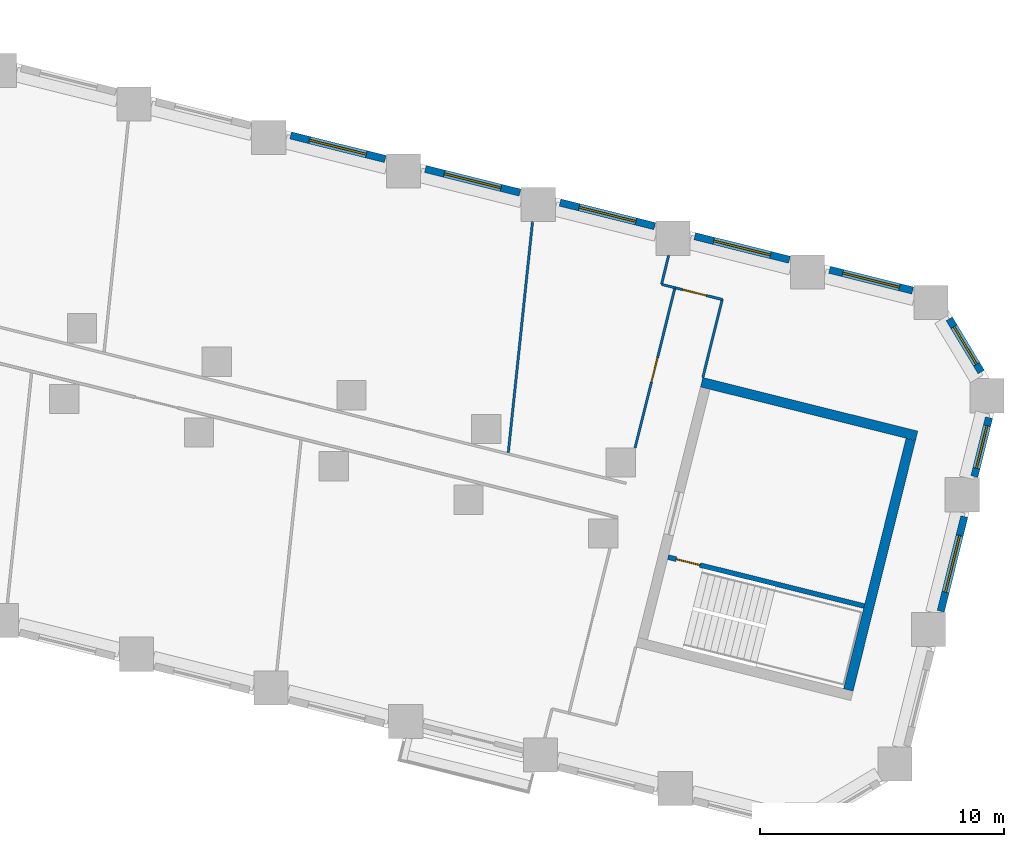
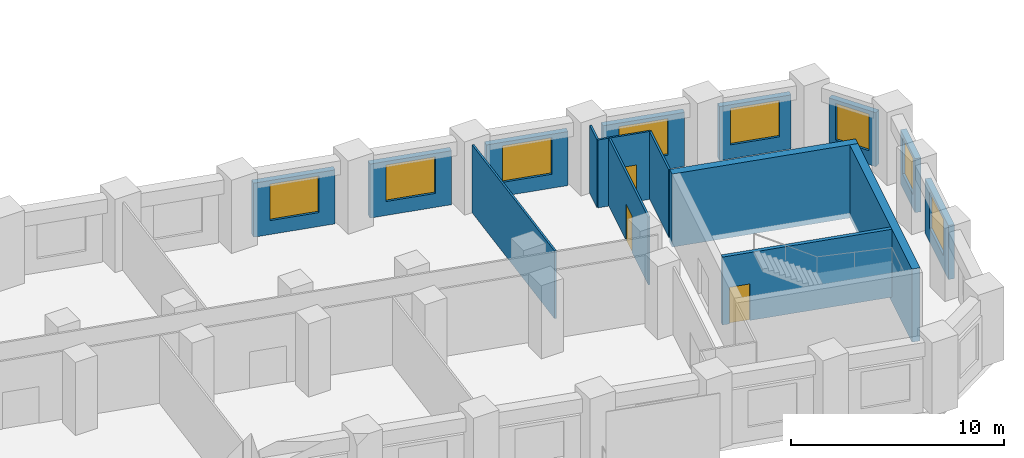
# One storey, part 7 of 11: 17 walls, 8 windows, 3 doors, 11 openings.
"""IFC4 building model written with IfcOpenShell, lengths in metres."""

import ifcopenshell
import ifcopenshell.guid

model = None  # the IFC model being written
_history = None  # IfcOwnerHistory: only IFC2X3 demands one
_inside = {}  # id of a spatial element -> (the spatial element, [elements in it])
_under = {}  # id of a project, library or spatial element -> (it, [spatial elements below it])
_declared = {}  # id of a project -> (the project, [libraries it declares])
_typed = {}  # id of a type object -> (the type object, [elements of that type])
_made_of = {}  # id of a material, layer set ... -> (it, [elements and type objects made of it])


def new_model(schema):
    """Start an empty IFC model of exactly this schema.

    Asked for "IFC4X3", IfcOpenShell would pick the latest addendum, in which some entities
    have other attributes; the version numbers below select the first issue.
    IFC2X3 requires an IfcOwnerHistory on every rooted entity: one is made here for all.
    """
    global model, _history
    if schema == "IFC4X3":
        model = ifcopenshell.file(schema_version=(4, 3, 0, 0))
    else:
        model = ifcopenshell.file(schema=schema)
    _inside.clear()
    _under.clear()
    _declared.clear()
    _typed.clear()
    _made_of.clear()
    _history = None
    if model.schema == "IFC2X3":
        org = make("IfcOrganization", Name="unknown")
        user = make(
            "IfcPersonAndOrganization",
            ThePerson=make("IfcPerson", FamilyName="unknown"),
            TheOrganization=org,
        )
        app = make(
            "IfcApplication",
            ApplicationDeveloper=org,
            Version="unknown",
            ApplicationFullName="unknown",
            ApplicationIdentifier="unknown",
        )
        _history = make(
            "IfcOwnerHistory",
            OwningUser=user,
            OwningApplication=app,
            ChangeAction="ADDED",
            CreationDate=0,
        )
    return model


def make(cls, **values):
    """One entity of the class cls with the attributes given. An attribute that is None is left unset."""
    return model.create_entity(
        cls, **{name: value for name, value in values.items() if value is not None}
    )


def rooted(cls, **values):
    """An entity with a GlobalId (a new one), such as an element, a storey or a relation."""
    return make(cls, GlobalId=ifcopenshell.guid.new(), OwnerHistory=_history, **values)


def si_unit(unit_type, name, prefix=None):
    """IfcSIUnit, for example si_unit("LENGTHUNIT", "METRE", prefix="MILLI")."""
    return make("IfcSIUnit", UnitType=unit_type, Prefix=prefix, Name=name)


def assignment(units):
    """IfcUnitAssignment: the units of a project."""
    return None if units is None else make("IfcUnitAssignment", Units=units)


def point(xyz):
    """IfcCartesianPoint."""
    return None if xyz is None else make("IfcCartesianPoint", Coordinates=xyz)


def direction(xyz):
    """IfcDirection."""
    return None if xyz is None else make("IfcDirection", DirectionRatios=xyz)


def frame(location, z_axis=None, x_axis=None):
    """IfcAxis2Placement3D, a coordinate frame: its origin and axes. An axis left out is left unset."""
    return make(
        "IfcAxis2Placement3D",
        Location=point(location),
        Axis=direction(z_axis),
        RefDirection=direction(x_axis),
    )


def frame_2d(location, x_axis=None):
    """IfcAxis2Placement2D, a coordinate frame in the plane: its origin and x axis."""
    return make(
        "IfcAxis2Placement2D", Location=point(location), RefDirection=direction(x_axis)
    )


def origin():
    """The frame at (0, 0, 0) with its axes left unset."""
    return frame((0.0, 0.0, 0.0))


def place(relative_to, where):
    """IfcLocalPlacement: puts the frame where relative to a parent placement (None: the world)."""
    return make(
        "IfcLocalPlacement", PlacementRelTo=relative_to, RelativePlacement=where
    )


def context(
    kind, dimensions, precision=None, world=None, true_north=None, identifier=None
):
    """IfcGeometricRepresentationContext, for example the 3D "Model" context."""
    return make(
        "IfcGeometricRepresentationContext",
        ContextIdentifier=identifier,
        ContextType=kind,
        CoordinateSpaceDimension=dimensions,
        Precision=precision,
        WorldCoordinateSystem=world,
        TrueNorth=true_north,
    )


def subcontext(parent, identifier, kind, view, scale=None):
    """IfcGeometricRepresentationSubContext, for example "Body" below "Model"."""
    return make(
        "IfcGeometricRepresentationSubContext",
        ContextIdentifier=identifier,
        ContextType=kind,
        ParentContext=parent,
        TargetScale=scale,
        TargetView=view,
    )


def project(units=None, contexts=None):
    """IfcProject with its units and contexts."""
    return rooted(
        "IfcProject",
        Name="project",
        RepresentationContexts=contexts,
        UnitsInContext=assignment(units),
    )


def spatial(cls, under=None, at=None, **own):
    """A site, building, storey or space (cls), placed at a placement, below another one or the project."""
    s = rooted(cls, ObjectPlacement=at, **own)
    if under is not None:
        _under.setdefault(under.id(), (under, []))[1].append(s)
    return s


def profile(cls, at=None, kind="AREA", **sizes):
    """A parametric profile (cls). Its sizes go by their IFC names, for example OverallWidth=200.0."""
    return make(cls, ProfileType=kind, Position=at, **sizes)


def rectangle(**sizes):
    """IfcRectangleProfileDef."""
    return profile("IfcRectangleProfileDef", **sizes)


def extrude(swept, where, along, depth):
    """IfcExtrudedAreaSolid: the profile swept, set in the frame where, extruded along a direction by depth."""
    return make(
        "IfcExtrudedAreaSolid",
        SweptArea=swept,
        Position=where,
        ExtrudedDirection=direction(along),
        Depth=depth,
    )


def shape(context_of_items, identifier, shape_type, items):
    """IfcShapeRepresentation: the items that make up one representation, for example the "Body"."""
    return make(
        "IfcShapeRepresentation",
        ContextOfItems=context_of_items,
        RepresentationIdentifier=identifier,
        RepresentationType=shape_type,
        Items=items,
    )


def material(Name=None, Category=None):
    """IfcMaterial."""
    return make("IfcMaterial", Name=Name, Category=Category)


def layer(
    of_material, thickness, ventilated=None, Name=None, Category=None, Priority=None
):
    """IfcMaterialLayer: one layer of a wall or slab, of a material (None: an air gap)."""
    return make(
        "IfcMaterialLayer",
        Material=of_material,
        LayerThickness=thickness,
        IsVentilated=ventilated,
        Name=Name,
        Category=Category,
        Priority=Priority,
    )


def layer_set(layers, Name=None):
    """IfcMaterialLayerSet."""
    return make("IfcMaterialLayerSet", MaterialLayers=layers, LayerSetName=Name)


def made_of(thing, what):
    """Note that an element or type object is made of a material, layer set ...; save() writes the relation."""
    if what is not None:
        _made_of.setdefault(what.id(), (what, []))[1].append(thing)
    return thing


def type_object(cls, material=None, **own):
    """A type object (cls), such as IfcWallType, which elements share."""
    return made_of(rooted(cls, **own), material)


def element(
    cls,
    number,
    at=None,
    inside=None,
    cuts=None,
    type_object=None,
    material=None,
    context=None,
    identifier="Body",
    shape_type=None,
    held_by="IfcProductDefinitionShape",
    body=None,
    shapes=None,
    **own,
):
    """One element of the class cls, such as IfcWall. Its Tag is "e" and its number.

    at: its placement. inside: the storey or other place that contains it. cuts: it is an
    opening in that element (IfcRelVoidsElement). A single representation is given by context,
    identifier, shape_type and body (its items); several are given by shapes. held_by: the class
    of the entity that holds the representations. save() writes the other relations.
    """
    e = rooted(cls, Tag="e%d" % number, ObjectPlacement=at, **own)
    if body is not None:
        shapes = [shape(context, identifier, shape_type, body)]
    if shapes is not None:
        e.Representation = make(held_by, Representations=shapes)
    if inside is not None:
        _inside.setdefault(inside.id(), (inside, []))[1].append(e)
    if cuts is not None:
        rooted(
            "IfcRelVoidsElement", RelatingBuildingElement=cuts, RelatedOpeningElement=e
        )
    if type_object is not None:
        _typed.setdefault(type_object.id(), (type_object, []))[1].append(e)
    return made_of(e, material)


def fill(opening, filler):
    """IfcRelFillsElement: the door or window that sits in an opening."""
    return rooted(
        "IfcRelFillsElement",
        RelatingOpeningElement=opening,
        RelatedBuildingElement=filler,
    )


def aggregate(whole, parts):
    """IfcRelAggregates: a whole, such as a stair, and the parts it consists of."""
    return rooted("IfcRelAggregates", RelatingObject=whole, RelatedObjects=parts)


def save(model, path):
    """Write the relations noted so far, then the file.

    IfcRelAggregates (storeys below a building ...), IfcRelContainedInSpatialStructure (elements
    in a storey), IfcRelDefinesByType, IfcRelAssociatesMaterial and IfcRelDeclares: one each for
    every whole, place, type object, material and project.
    """
    for whole, parts in _under.values():
        aggregate(whole, parts)
    for where, things in _inside.values():
        rooted(
            "IfcRelContainedInSpatialStructure",
            RelatedElements=things,
            RelatingStructure=where,
        )
    for kind, things in _typed.values():
        rooted("IfcRelDefinesByType", RelatedObjects=things, RelatingType=kind)
    for what, things in _made_of.values():
        rooted("IfcRelAssociatesMaterial", RelatedObjects=things, RelatingMaterial=what)
    for by, libraries in _declared.values():
        rooted("IfcRelDeclares", RelatingContext=by, RelatedDefinitions=libraries)
    model.write(path)


model = new_model("IFC4")

# Units and contexts
model_context = context("Model", 3, precision=1e-05, world=origin(), true_north=direction((0.0, 1.0)))
body_context = subcontext(model_context, "Body", "Model", "MODEL_VIEW")
ifc_project = project(units=[si_unit("LENGTHUNIT", "METRE"), si_unit("AREAUNIT", "SQUARE_METRE"), si_unit("VOLUMEUNIT", "CUBIC_METRE"), si_unit("PLANEANGLEUNIT", "RADIAN"), si_unit("MASSUNIT", "GRAM", prefix="KILO")], contexts=[model_context])

# Site, building, storey
site_placement = place(None, origin())
site = spatial("IfcSite", under=ifc_project, at=site_placement, CompositionType="ELEMENT")
building_placement = place(site_placement, origin())
building = spatial("IfcBuilding", under=site, at=building_placement, Name="Meshkara Civic Tower", CompositionType="ELEMENT")
storey_placement = place(building_placement, frame((0.0, 0.0, 54.0)))
storey = spatial("IfcBuildingStorey", under=building, at=storey_placement, Name="L11", CompositionType="ELEMENT", Elevation=54.0)

# Wall, opening, door
ifc_material_1 = material(Name="Corridor wall 100")
ifc_layer_1 = layer(ifc_material_1, 0.10009765625)
ifc_layer_set_1 = layer_set([ifc_layer_1], Name="Corridor wall 100")
wall_type_1 = type_object("IfcWallType", Name="Corridor wall 100", PredefinedType="PARTITIONING", material=ifc_layer_set_1)
wall_1_placement = place(storey_placement, frame((77.677978515625, 1.656982421875, 0.0), z_axis=(0.0, 0.0, 1.0), x_axis=(-0.241865842949, -0.970309700052, 0.0)))
wall_1 = element("IfcWall", 1, at=wall_1_placement, inside=storey, type_object=wall_type_1, Name="L11-W028", PredefinedType="PARTITIONING", context=body_context, shape_type="SweptSolid", body=[
    extrude(rectangle(XDim=6.776123046875, YDim=0.10009765625, at=frame_2d((3.38818359375, 0.0))), origin(), (0.0, 0.0, 1.0), 3.89990234375),
])
opening_1_placement = place(wall_1_placement, frame((2.97998046875, 0.0, 0.0)))
opening_1 = element("IfcOpeningElement", 2, at=opening_1_placement, cuts=wall_1, Name="Opening L11-D007", PredefinedType="OPENING", context=body_context, shape_type="SweptSolid", body=[
    extrude(rectangle(XDim=1.0, YDim=2.10009765625, at=frame_2d((0.5, 1.050048828125))), frame((0.0, 0.06005859375, 0.0), z_axis=(0.0, -1.0, 0.0), x_axis=(1.0, 0.0, 0.0)), (0.0, 0.0, 1.0), 0.1201171875),
])
ifc_material_2 = material(Name="Door 1000 x 2100")
door_type_1 = type_object("IfcDoorType", Name="Door 1000 x 2100", OperationType="SINGLE_SWING_LEFT", PredefinedType="DOOR", material=ifc_material_2)
door_1_placement = place(opening_1_placement, origin())
door_1 = element("IfcDoor", 3, at=door_1_placement, inside=storey, type_object=door_type_1, Name="L11-D007", OperationType="SINGLE_SWING_LEFT", OverallHeight=2.10009765625, OverallWidth=1.0, PredefinedType="DOOR", context=body_context, shape_type="SweptSolid", body=[
    extrude(rectangle(XDim=1.0, YDim=2.10009765625, at=frame_2d((0.5, 1.050048828125))), frame((0.0, 0.02490234375, 0.0), z_axis=(0.0, -1.0, 0.0), x_axis=(1.0, 0.0, 0.0)), (0.0, 0.0, 1.0), 0.050048828125),
])
fill(opening_1, door_1)

# Wall
wall_2_placement = place(storey_placement, frame((78.821044921875, -2.029052734375, 0.0), z_axis=(0.0, 0.0, 1.0), x_axis=(0.241769629392, 0.970333677816, 0.0)))
element("IfcWall", 4, at=wall_2_placement, inside=storey, type_object=wall_type_1, Name="L11-W029", PredefinedType="PARTITIONING", context=body_context, shape_type="SweptSolid", body=[
    extrude(rectangle(XDim=3.300048828125, YDim=0.10009765625, at=frame_2d((1.64990234375, 0.0))), origin(), (0.0, 0.0, 1.0), 3.89990234375),
])

# Wall, opening, door
wall_3_placement = place(storey_placement, frame((79.618896484375, 1.173095703125, 0.0), z_axis=(0.0, 0.0, 1.0), x_axis=(-0.970300241929, 0.241903783585, 0.0)))
wall_3 = element("IfcWall", 5, at=wall_3_placement, inside=storey, type_object=wall_type_1, Name="L11-W030", PredefinedType="PARTITIONING", context=body_context, shape_type="SweptSolid", body=[
    extrude(rectangle(XDim=2.000244140625, YDim=0.10009765625, at=frame_2d((1.0, 0.0))), origin(), (0.0, 0.0, 1.0), 3.89990234375),
])
opening_2_placement = place(wall_3_placement, frame((0.679931640625, 0.0, 0.0)))
opening_2 = element("IfcOpeningElement", 6, at=opening_2_placement, cuts=wall_3, Name="Opening L11-D011", PredefinedType="OPENING", context=body_context, shape_type="SweptSolid", body=[
    extrude(rectangle(XDim=1.0, YDim=2.10009765625, at=frame_2d((0.5, 1.050048828125))), frame((0.0, 0.06005859375, 0.0), z_axis=(0.0, -1.0, 0.0), x_axis=(1.0, 0.0, 0.0)), (0.0, 0.0, 1.0), 0.1201171875),
])
door_2_placement = place(opening_2_placement, origin())
door_2 = element("IfcDoor", 7, at=door_2_placement, inside=storey, type_object=door_type_1, Name="L11-D011", OperationType="SINGLE_SWING_LEFT", OverallHeight=2.10009765625, OverallWidth=1.0, PredefinedType="DOOR", context=body_context, shape_type="SweptSolid", body=[
    extrude(rectangle(XDim=1.0, YDim=2.10009765625, at=frame_2d((0.5, 1.050048828125))), frame((0.0, 0.02490234375, 0.0), z_axis=(0.0, -1.0, 0.0), x_axis=(1.0, 0.0, 0.0)), (0.0, 0.0, 1.0), 0.050048828125),
])
fill(opening_2, door_2)

# Wall, opening, window
ifc_material_3 = material(Name="Insulated infill panel with bronze anodised aluminium cladding", Category="aluminium")
ifc_layer_2 = layer(ifc_material_3, 0.300048828125)
ifc_layer_set_2 = layer_set([ifc_layer_2], Name="EXTERNAL INFILL WALL 300")
wall_type_2 = type_object("IfcWallType", Name="EXTERNAL INFILL WALL 300", PredefinedType="SOLIDWALL", material=ifc_layer_set_2)
wall_4_placement = place(storey_placement, frame((87.43505859375, 1.54296875, 0.0), z_axis=(0.0, 0.0, 1.0), x_axis=(-0.970289298425, 0.241947674843, 0.0)))
wall_4 = element("IfcWall", 8, at=wall_4_placement, inside=storey, type_object=wall_type_2, Name="External wall", PredefinedType="SOLIDWALL", context=body_context, shape_type="SweptSolid", body=[
    extrude(rectangle(XDim=3.517578125, YDim=0.300048828125, at=frame_2d((1.7587890625, 0.0))), origin(), (0.0, 0.0, 1.0), 3.10009765625),
])
opening_3_placement = place(wall_4_placement, frame((0.55908203125, 0.0, 0.800048828125)))
opening_3 = element("IfcOpeningElement", 9, at=opening_3_placement, cuts=wall_4, Name="Opening W7", PredefinedType="OPENING", context=body_context, shape_type="SweptSolid", body=[
    extrude(rectangle(XDim=2.39990234375, YDim=2.10009765625, at=frame_2d((1.199951171875, 1.050048828125))), frame((0.0, 0.159912109375, 0.0), z_axis=(0.0, -1.0, 0.0), x_axis=(1.0, 0.0, 0.0)), (0.0, 0.0, 1.0), 0.320068359375),
])
ifc_material_4 = material(Name="Tinted double glazing", Category="glass")
window_type_1 = type_object("IfcWindowType", Name="WINDOW 2400x2100", PartitioningType="DOUBLE_PANEL_VERTICAL", PredefinedType="WINDOW", material=ifc_material_4)
window_1_placement = place(opening_3_placement, origin())
window_1 = element("IfcWindow", 10, at=window_1_placement, inside=storey, type_object=window_type_1, Name="Window", OverallHeight=2.10009765625, OverallWidth=2.39990234375, PartitioningType="DOUBLE_PANEL_VERTICAL", PredefinedType="WINDOW", context=body_context, shape_type="SweptSolid", body=[
    extrude(rectangle(XDim=2.39990234375, YDim=2.10009765625, at=frame_2d((1.199951171875, 1.050048828125))), frame((0.0, 0.030029296875, 0.0), z_axis=(0.0, -1.0, 0.0), x_axis=(1.0, 0.0, 0.0)), (0.0, 0.0, 1.0), 0.06005859375),
])
fill(opening_3, window_1)

wall_5_placement = place(storey_placement, frame((82.375, 2.804931640625, 0.0), z_axis=(0.0, 0.0, 1.0), x_axis=(-0.970318045095, 0.24183236211, 0.0)))
wall_5 = element("IfcWall", 11, at=wall_5_placement, inside=storey, type_object=wall_type_2, Name="External wall", PredefinedType="SOLIDWALL", context=body_context, shape_type="SweptSolid", body=[
    extrude(rectangle(XDim=4.0029296875, YDim=0.300048828125, at=frame_2d((2.00146484375, 0.0))), origin(), (0.0, 0.0, 1.0), 3.10009765625),
])
opening_4_placement = place(wall_5_placement, frame((0.802001953125, 0.0, 0.800048828125)))
opening_4 = element("IfcOpeningElement", 12, at=opening_4_placement, cuts=wall_5, Name="Opening W7", PredefinedType="OPENING", context=body_context, shape_type="SweptSolid", body=[
    extrude(rectangle(XDim=2.39990234375, YDim=2.10009765625, at=frame_2d((1.199951171875, 1.050048828125))), frame((0.0, 0.159912109375, 0.0), z_axis=(0.0, -1.0, 0.0), x_axis=(1.0, 0.0, 0.0)), (0.0, 0.0, 1.0), 0.320068359375),
])
window_2_placement = place(opening_4_placement, origin())
window_2 = element("IfcWindow", 13, at=window_2_placement, inside=storey, type_object=window_type_1, Name="Window", OverallHeight=2.10009765625, OverallWidth=2.39990234375, PartitioningType="DOUBLE_PANEL_VERTICAL", PredefinedType="WINDOW", context=body_context, shape_type="SweptSolid", body=[
    extrude(rectangle(XDim=2.39990234375, YDim=2.10009765625, at=frame_2d((1.199951171875, 1.050048828125))), frame((0.0, 0.030029296875, 0.0), z_axis=(0.0, -1.0, 0.0), x_axis=(1.0, 0.0, 0.0)), (0.0, 0.0, 1.0), 0.06005859375),
])
fill(opening_4, window_2)

wall_6_placement = place(storey_placement, frame((76.843994140625, 4.18408203125, 0.0), z_axis=(0.0, 0.0, 1.0), x_axis=(-0.970303772127, 0.241889623168, 0.0)))
wall_6 = element("IfcWall", 14, at=wall_6_placement, inside=storey, type_object=wall_type_2, Name="External wall", PredefinedType="SOLIDWALL", context=body_context, shape_type="SweptSolid", body=[
    extrude(rectangle(XDim=4.001953125, YDim=0.300048828125, at=frame_2d((2.0009765625, 0.0))), origin(), (0.0, 0.0, 1.0), 3.10009765625),
])
opening_5_placement = place(wall_6_placement, frame((0.801025390625, 0.0, 0.800048828125)))
opening_5 = element("IfcOpeningElement", 15, at=opening_5_placement, cuts=wall_6, Name="Opening W7", PredefinedType="OPENING", context=body_context, shape_type="SweptSolid", body=[
    extrude(rectangle(XDim=2.39990234375, YDim=2.10009765625, at=frame_2d((1.199951171875, 1.050048828125))), frame((0.0, 0.159912109375, 0.0), z_axis=(0.0, -1.0, 0.0), x_axis=(1.0, 0.0, 0.0)), (0.0, 0.0, 1.0), 0.320068359375),
])
window_3_placement = place(opening_5_placement, origin())
window_3 = element("IfcWindow", 16, at=window_3_placement, inside=storey, type_object=window_type_1, Name="Window", OverallHeight=2.10009765625, OverallWidth=2.39990234375, PartitioningType="DOUBLE_PANEL_VERTICAL", PredefinedType="WINDOW", context=body_context, shape_type="SweptSolid", body=[
    extrude(rectangle(XDim=2.39990234375, YDim=2.10009765625, at=frame_2d((1.199951171875, 1.050048828125))), frame((0.0, 0.030029296875, 0.0), z_axis=(0.0, -1.0, 0.0), x_axis=(1.0, 0.0, 0.0)), (0.0, 0.0, 1.0), 0.06005859375),
])
fill(opening_5, window_3)

wall_7_placement = place(storey_placement, frame((71.31396484375, 5.56298828125, 0.0), z_axis=(0.0, 0.0, 1.0), x_axis=(-0.970318045095, 0.24183236211, 0.0)))
wall_7 = element("IfcWall", 17, at=wall_7_placement, inside=storey, type_object=wall_type_2, Name="External wall", PredefinedType="SOLIDWALL", context=body_context, shape_type="SweptSolid", body=[
    extrude(rectangle(XDim=4.0029296875, YDim=0.300048828125, at=frame_2d((2.00146484375, 0.0))), origin(), (0.0, 0.0, 1.0), 3.10009765625),
])
opening_6_placement = place(wall_7_placement, frame((0.802001953125, 0.0, 0.800048828125)))
opening_6 = element("IfcOpeningElement", 18, at=opening_6_placement, cuts=wall_7, Name="Opening W7", PredefinedType="OPENING", context=body_context, shape_type="SweptSolid", body=[
    extrude(rectangle(XDim=2.39990234375, YDim=2.10009765625, at=frame_2d((1.199951171875, 1.050048828125))), frame((0.0, 0.159912109375, 0.0), z_axis=(0.0, -1.0, 0.0), x_axis=(1.0, 0.0, 0.0)), (0.0, 0.0, 1.0), 0.320068359375),
])
window_4_placement = place(opening_6_placement, origin())
window_4 = element("IfcWindow", 19, at=window_4_placement, inside=storey, type_object=window_type_1, Name="Window", OverallHeight=2.10009765625, OverallWidth=2.39990234375, PartitioningType="DOUBLE_PANEL_VERTICAL", PredefinedType="WINDOW", context=body_context, shape_type="SweptSolid", body=[
    extrude(rectangle(XDim=2.39990234375, YDim=2.10009765625, at=frame_2d((1.199951171875, 1.050048828125))), frame((0.0, 0.030029296875, 0.0), z_axis=(0.0, -1.0, 0.0), x_axis=(1.0, 0.0, 0.0)), (0.0, 0.0, 1.0), 0.06005859375),
])
fill(opening_6, window_4)

wall_8_placement = place(storey_placement, frame((65.782958984375, 6.94189453125, 0.0), z_axis=(0.0, 0.0, 1.0), x_axis=(-0.970318045095, 0.24183236211, 0.0)))
wall_8 = element("IfcWall", 20, at=wall_8_placement, inside=storey, type_object=wall_type_2, Name="External wall", PredefinedType="SOLIDWALL", context=body_context, shape_type="SweptSolid", body=[
    extrude(rectangle(XDim=4.0029296875, YDim=0.300048828125, at=frame_2d((2.00146484375, 0.0))), origin(), (0.0, 0.0, 1.0), 3.10009765625),
])
opening_7_placement = place(wall_8_placement, frame((0.802001953125, 0.0, 0.800048828125)))
opening_7 = element("IfcOpeningElement", 21, at=opening_7_placement, cuts=wall_8, Name="Opening W7", PredefinedType="OPENING", context=body_context, shape_type="SweptSolid", body=[
    extrude(rectangle(XDim=2.39990234375, YDim=2.10009765625, at=frame_2d((1.199951171875, 1.050048828125))), frame((0.0, 0.159912109375, 0.0), z_axis=(0.0, -1.0, 0.0), x_axis=(1.0, 0.0, 0.0)), (0.0, 0.0, 1.0), 0.320068359375),
])
window_5_placement = place(opening_7_placement, origin())
window_5 = element("IfcWindow", 22, at=window_5_placement, inside=storey, type_object=window_type_1, Name="Window", OverallHeight=2.10009765625, OverallWidth=2.39990234375, PartitioningType="DOUBLE_PANEL_VERTICAL", PredefinedType="WINDOW", context=body_context, shape_type="SweptSolid", body=[
    extrude(rectangle(XDim=2.39990234375, YDim=2.10009765625, at=frame_2d((1.199951171875, 1.050048828125))), frame((0.0, 0.030029296875, 0.0), z_axis=(0.0, -1.0, 0.0), x_axis=(1.0, 0.0, 0.0)), (0.0, 0.0, 1.0), 0.06005859375),
])
fill(opening_7, window_5)

wall_9_placement = place(storey_placement, frame((88.590087890625, -11.62109375, 0.0), z_axis=(0.0, 0.0, 1.0), x_axis=(0.241889623168, 0.970303772127, 0.0)))
wall_9 = element("IfcWall", 23, at=wall_9_placement, inside=storey, type_object=wall_type_2, Name="External wall", PredefinedType="SOLIDWALL", context=body_context, shape_type="SweptSolid", body=[
    extrude(rectangle(XDim=4.001953125, YDim=0.300048828125, at=frame_2d((2.0009765625, 0.0))), origin(), (0.0, 0.0, 1.0), 3.10009765625),
])
opening_8_placement = place(wall_9_placement, frame((0.801025390625, 0.0, 0.800048828125)))
opening_8 = element("IfcOpeningElement", 24, at=opening_8_placement, cuts=wall_9, Name="Opening W7", PredefinedType="OPENING", context=body_context, shape_type="SweptSolid", body=[
    extrude(rectangle(XDim=2.39990234375, YDim=2.10009765625, at=frame_2d((1.199951171875, 1.050048828125))), frame((0.0, 0.159912109375, 0.0), z_axis=(0.0, -1.0, 0.0), x_axis=(1.0, 0.0, 0.0)), (0.0, 0.0, 1.0), 0.320068359375),
])
window_6_placement = place(opening_8_placement, origin())
window_6 = element("IfcWindow", 25, at=window_6_placement, inside=storey, type_object=window_type_1, Name="Window", OverallHeight=2.10009765625, OverallWidth=2.39990234375, PartitioningType="DOUBLE_PANEL_VERTICAL", PredefinedType="WINDOW", context=body_context, shape_type="SweptSolid", body=[
    extrude(rectangle(XDim=2.39990234375, YDim=2.10009765625, at=frame_2d((1.199951171875, 1.050048828125))), frame((0.0, 0.030029296875, 0.0), z_axis=(0.0, -1.0, 0.0), x_axis=(1.0, 0.0, 0.0)), (0.0, 0.0, 1.0), 0.06005859375),
])
fill(opening_8, window_6)

wall_10_placement = place(storey_placement, frame((89.968994140625, -6.091064453125, 0.0), z_axis=(0.0, 0.0, 1.0), x_axis=(0.241797277733, 0.9703267885, 0.0)))
wall_10 = element("IfcWall", 26, at=wall_10_placement, inside=storey, type_object=wall_type_2, Name="External wall", PredefinedType="SOLIDWALL", context=body_context, shape_type="SweptSolid", body=[
    extrude(rectangle(XDim=2.489990234375, YDim=0.300048828125, at=frame_2d((1.2451171875, 0.0))), origin(), (0.0, 0.0, 1.0), 3.10009765625),
])
opening_9_placement = place(wall_10_placement, frame((0.344970703125, 0.0, 0.800048828125)))
opening_9 = element("IfcOpeningElement", 27, at=opening_9_placement, cuts=wall_10, Name="Opening W9", PredefinedType="OPENING", context=body_context, shape_type="SweptSolid", body=[
    extrude(rectangle(XDim=1.800048828125, YDim=2.10009765625, at=frame_2d((0.89990234375, 1.050048828125))), frame((0.0, 0.159912109375, 0.0), z_axis=(0.0, -1.0, 0.0), x_axis=(1.0, 0.0, 0.0)), (0.0, 0.0, 1.0), 0.320068359375),
])
ifc_material_5 = material(Name="Tinted double glazing", Category="glass")
window_type_2 = type_object("IfcWindowType", Name="WINDOW 1800x2100", PartitioningType="DOUBLE_PANEL_VERTICAL", PredefinedType="WINDOW", material=ifc_material_5)
window_7_placement = place(opening_9_placement, origin())
window_7 = element("IfcWindow", 28, at=window_7_placement, inside=storey, type_object=window_type_2, Name="Window", OverallHeight=2.10009765625, OverallWidth=1.800048828125, PartitioningType="DOUBLE_PANEL_VERTICAL", PredefinedType="WINDOW", context=body_context, shape_type="SweptSolid", body=[
    extrude(rectangle(XDim=1.800048828125, YDim=2.10009765625, at=frame_2d((0.89990234375, 1.050048828125))), frame((0.0, 0.030029296875, 0.0), z_axis=(0.0, -1.0, 0.0), x_axis=(1.0, 0.0, 0.0)), (0.0, 0.0, 1.0), 0.06005859375),
])
fill(opening_9, window_7)

wall_11_placement = place(storey_placement, frame((90.248046875, -1.801025390625, 0.0), z_axis=(0.0, 0.0, 1.0), x_axis=(-0.515441886055, 0.856924536992, 0.0)))
wall_11 = element("IfcWall", 29, at=wall_11_placement, inside=storey, type_object=wall_type_2, Name="External wall", PredefinedType="SOLIDWALL", context=body_context, shape_type="SweptSolid", body=[
    extrude(rectangle(XDim=2.54150390625, YDim=0.300048828125, at=frame_2d((1.270751953125, 0.0))), origin(), (0.0, 0.0, 1.0), 3.10009765625),
])
opening_10_placement = place(wall_11_placement, frame((0.37109375, 0.0, 0.800048828125)))
opening_10 = element("IfcOpeningElement", 30, at=opening_10_placement, cuts=wall_11, Name="Opening W9", PredefinedType="OPENING", context=body_context, shape_type="SweptSolid", body=[
    extrude(rectangle(XDim=1.800048828125, YDim=2.10009765625, at=frame_2d((0.89990234375, 1.050048828125))), frame((0.0, 0.159912109375, 0.0), z_axis=(0.0, -1.0, 0.0), x_axis=(1.0, 0.0, 0.0)), (0.0, 0.0, 1.0), 0.320068359375),
])
window_8_placement = place(opening_10_placement, origin())
window_8 = element("IfcWindow", 31, at=window_8_placement, inside=storey, type_object=window_type_2, Name="Window", OverallHeight=2.10009765625, OverallWidth=1.800048828125, PartitioningType="DOUBLE_PANEL_VERTICAL", PredefinedType="WINDOW", context=body_context, shape_type="SweptSolid", body=[
    extrude(rectangle(XDim=1.800048828125, YDim=2.10009765625, at=frame_2d((0.89990234375, 1.050048828125))), frame((0.0, 0.030029296875, 0.0), z_axis=(0.0, -1.0, 0.0), x_axis=(1.0, 0.0, 0.0)), (0.0, 0.0, 1.0), 0.06005859375),
])
fill(opening_10, window_8)

# Walls
ifc_material_6 = material(Name="Concrete C80", Category="concrete")
ifc_layer_3 = layer(ifc_material_6, 0.39990234375)
ifc_layer_set_3 = layer_set([ifc_layer_3], Name="End core ring wall 400 C80")
wall_type_3 = type_object("IfcWallType", Name="End core ring wall 400 C80", PredefinedType="SHEAR", material=ifc_layer_set_3)
wall_12_placement = place(storey_placement, frame((78.77197265625, -2.222900390625, -0.300048828125), z_axis=(0.0, 0.0, 1.0), x_axis=(0.970306400786, -0.241879078453, 0.0)))
element("IfcWall", 32, at=wall_12_placement, inside=storey, type_object=wall_type_3, Name="L11-C031", PredefinedType="SHEAR", context=body_context, shape_type="SweptSolid", body=[
    extrude(rectangle(XDim=9.100341796875, YDim=0.39990234375, at=frame_2d((4.55029296875, 0.0))), origin(), (0.0, 0.0, 1.0), 4.199951171875),
])
wall_13_placement = place(storey_placement, frame((84.794921875, -14.85498046875, -0.300048828125), z_axis=(0.0, 0.0, 1.0), x_axis=(0.241890652548, 0.970303515509, 0.0)))
element("IfcWall", 33, at=wall_13_placement, inside=storey, type_object=wall_type_3, Name="L11-C033", PredefinedType="SHEAR", context=body_context, shape_type="SweptSolid", body=[
    extrude(rectangle(XDim=10.599609375, YDim=0.39990234375, at=frame_2d((5.2998046875, 0.0))), origin(), (0.0, 0.0, 1.0), 4.199951171875),
])
ifc_material_7 = material(Name="Partition 100")
ifc_layer_4 = layer(ifc_material_7, 0.10009765625)
ifc_layer_set_4 = layer_set([ifc_layer_4], Name="Partition 100")
wall_type_4 = type_object("IfcWallType", Name="Partition 100", PredefinedType="PARTITIONING", material=ifc_layer_set_4)
wall_14_placement = place(storey_placement, frame((70.8349609375, -5.10888671875, 0.0), z_axis=(0.0, 0.0, 1.0), x_axis=(0.104452670861, 0.994529858551, 0.0)))
element("IfcWall", 34, at=wall_14_placement, inside=storey, type_object=wall_type_4, Name="L11-W052", PredefinedType="PARTITIONING", context=body_context, shape_type="SweptSolid", body=[
    extrude(rectangle(XDim=9.52685546875, YDim=0.10009765625, at=frame_2d((4.763427734375, 0.0))), origin(), (0.0, 0.0, 1.0), 3.89990234375),
])
wall_15_placement = place(storey_placement, frame((77.1240234375, 1.794921875, 0.0), z_axis=(0.0, 0.0, 1.0), x_axis=(0.241647114831, 0.970364195493, 0.0)))
element("IfcWall", 35, at=wall_15_placement, inside=storey, type_object=wall_type_4, Name="L11-W055", PredefinedType="PARTITIONING", context=body_context, shape_type="SweptSolid", body=[
    extrude(rectangle(XDim=1.228515625, YDim=0.10009765625, at=frame_2d((0.6142578125, 0.0))), origin(), (0.0, 0.0, 1.0), 3.89990234375),
])
wall_16_placement = place(storey_placement, frame((77.681884765625, 1.656005859375, 0.0), z_axis=(0.0, 0.0, 1.0), x_axis=(-0.97036690769, 0.241636223403, 0.0)))
element("IfcWall", 36, at=wall_16_placement, inside=storey, type_object=wall_type_4, Name="L11-W056", PredefinedType="PARTITIONING", context=body_context, shape_type="SweptSolid", body=[
    extrude(rectangle(XDim=0.574951171875, YDim=0.10009765625, at=frame_2d((0.28759765625, 0.0))), origin(), (0.0, 0.0, 1.0), 3.89990234375),
])

# Wall, opening, door
ifc_material_8 = material(Name="Concrete C40/50", Category="concrete")
ifc_layer_5 = layer(ifc_material_8, 0.199951171875)
ifc_layer_set_5 = layer_set([ifc_layer_5], Name="Stair enclosure wall 200 C40/50")
wall_type_5 = type_object("IfcWallType", Name="Stair enclosure wall 200 C40/50", PredefinedType="SOLIDWALL", material=ifc_layer_set_5)
wall_17_placement = place(storey_placement, frame((77.39404296875, -9.403076171875, 0.0), z_axis=(0.0, 0.0, 1.0), x_axis=(0.970303192681, -0.241891947516, 0.0)))
wall_17 = element("IfcWall", 37, at=wall_17_placement, inside=storey, type_object=wall_type_5, Name="L11-C034", PredefinedType="SOLIDWALL", context=body_context, shape_type="SweptSolid", body=[
    extrude(rectangle(XDim=8.300537109375, YDim=0.199951171875, at=frame_2d((4.150390625, 0.0))), origin(), (0.0, 0.0, 1.0), 3.89990234375),
])
opening_11_placement = place(wall_17_placement, frame((0.35009765625, 0.0, 0.0)))
opening_11 = element("IfcOpeningElement", 38, at=opening_11_placement, cuts=wall_17, Name="Opening L11-K201", PredefinedType="OPENING", context=body_context, shape_type="SweptSolid", body=[
    extrude(rectangle(XDim=1.0, YDim=2.10009765625, at=frame_2d((0.5, 1.050048828125))), frame((0.0, 0.10986328125, 0.0), z_axis=(0.0, -1.0, 0.0), x_axis=(1.0, 0.0, 0.0)), (0.0, 0.0, 1.0), 0.219970703125),
])
ifc_material_9 = material(Name="Fire-rated door leaf in steel frame", Category="steel")
door_type_2 = type_object("IfcDoorType", Name="Stair door 1000 EI 120", OperationType="SINGLE_SWING_LEFT", PredefinedType="DOOR", material=ifc_material_9)
door_3_placement = place(opening_11_placement, origin())
door_3 = element("IfcDoor", 39, at=door_3_placement, inside=storey, type_object=door_type_2, Name="L11-K201", OperationType="SINGLE_SWING_LEFT", OverallHeight=2.10009765625, OverallWidth=1.0, PredefinedType="DOOR", context=body_context, shape_type="SweptSolid", body=[
    extrude(rectangle(XDim=1.0, YDim=2.10009765625, at=frame_2d((0.5, 1.050048828125))), frame((0.0, 0.02490234375, 0.0), z_axis=(0.0, -1.0, 0.0), x_axis=(1.0, 0.0, 0.0)), (0.0, 0.0, 1.0), 0.050048828125),
])
fill(opening_11, door_3)

save(model, "model.ifc")
